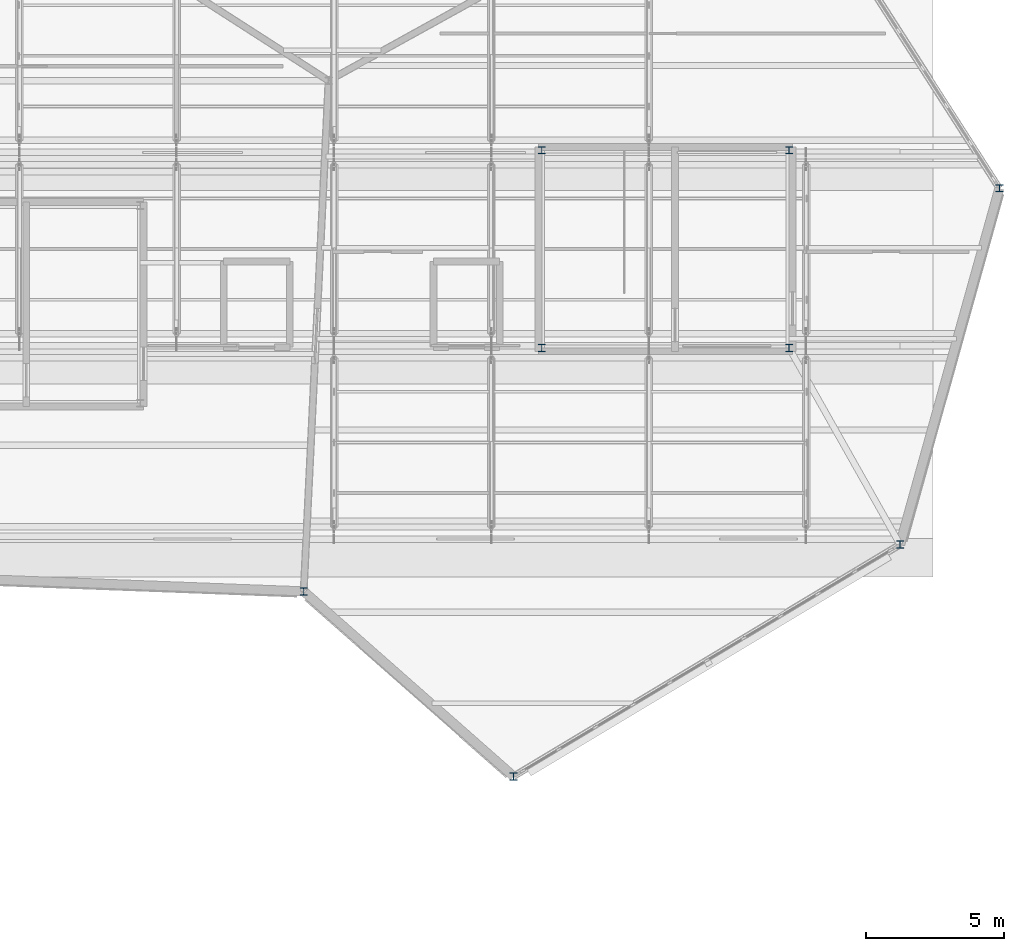
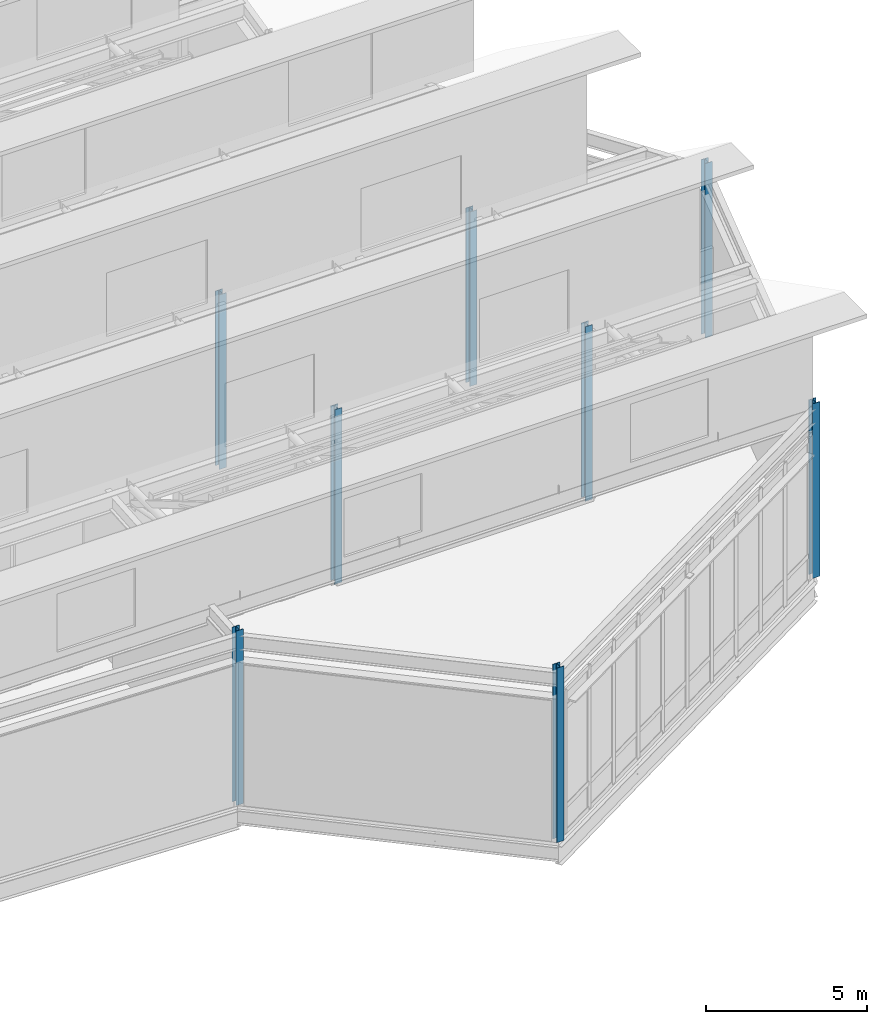
# One storey, part 2 of 55: 8 columns.
"""IFC4 building model written with IfcOpenShell, lengths in metres."""

from ifc_helpers import new_model, si_unit, direction, frame, origin, origin_2d, place, context, subcontext, project, spatial, i_section, extrude, material, material_profile, profile_set, type_object, element, save


model = new_model("IFC4")

# Units and contexts
model_context = context("Model", 3, precision=1e-05, world=origin(), true_north=direction((0.0, 1.0)))
body_context = subcontext(model_context, "Body", "Model", "MODEL_VIEW")
ifc_project = project(units=[si_unit("LENGTHUNIT", "METRE"), si_unit("AREAUNIT", "SQUARE_METRE"), si_unit("VOLUMEUNIT", "CUBIC_METRE"), si_unit("PLANEANGLEUNIT", "RADIAN"), si_unit("MASSUNIT", "GRAM", prefix="KILO")], contexts=[model_context])

# Site, building, storey
site_placement = place(None, origin())
site = spatial("IfcSite", under=ifc_project, at=site_placement, CompositionType="ELEMENT")
building_placement = place(site_placement, origin())
building = spatial("IfcBuilding", under=site, at=building_placement, Name="Tameran Prism Museum", CompositionType="ELEMENT")
storey_placement = place(building_placement, frame((0.0, 0.0, 28.800048828125)))
storey = spatial("IfcBuildingStorey", under=building, at=storey_placement, Name="L05", CompositionType="ELEMENT", Elevation=28.800048828125)

# Columns
ifc_material = material(Name="Steel Grade 300PLUS (300 MPa)", Category="steel")
ifc_material_profile = material_profile(ifc_material, i_section(OverallWidth=0.256103515625, OverallDepth=0.260009765625, WebThickness=0.010498046875, FlangeThickness=0.017333984375, FilletRadius=0.0126953125, at=origin_2d()))
ifc_profile_set = profile_set([ifc_material_profile])
column_type = type_object("IfcColumnType", Name="COL-UC250A", PredefinedType="COLUMN", material=ifc_profile_set)
for number, where, z_axis, x_axis, name in (
    (1, (117.89990234375, 70.60009765625, 0.0), (0.0, 0.0, 1.0), (1.0, 0.0, 0.0), "Column CV-46 L05"),
    (2, (125.5, 63.89990234375, 0.0), (0.0, 0.0, 1.0), (1.0, 0.0, 0.0), "Column CV-49 L05"),
    (3, (139.5, 72.300048828125, 0.0), (0.0, 0.0, 1.0), (1.0, 0.0, 0.0), "Column CV-57 L05"),
    (4, (143.10009765625, 85.199951171875, 0.0), (0.0, 0.0, 1.0), (1.0, 0.0, 0.0), "Column CV-60 L05"),
    (5, (126.52001953125, 79.419921875, 0.0), (0.0, 0.0, 1.0), (1.0, 0.0, 0.0), "Column CC-2-1 L05"),
    (6, (135.47998046875, 79.419921875, 0.0), (0.0, 0.0, 1.0), (1.0, 0.0, 0.0), "Column CC-2-2 L05"),
    (7, (135.47998046875, 86.580078125, 0.0), (0.0, 0.0, 1.0), (1.0, 0.0, 0.0), "Column CC-2-3 L05"),
    (8, (126.52001953125, 86.580078125, 0.0), (0.0, 0.0, 1.0), (1.0, 0.0, 0.0), "Column CC-2-4 L05"),
):
    element("IfcColumn", number, at=place(storey_placement, frame(where, z_axis=z_axis, x_axis=x_axis)), inside=storey, type_object=column_type, Name=name, PredefinedType="COLUMN", context=body_context, shape_type="SweptSolid", body=[
        extrude(i_section(OverallWidth=0.256103515625, OverallDepth=0.260009765625, WebThickness=0.010498046875, FlangeThickness=0.017333984375, FilletRadius=0.0126953125, at=origin_2d()), origin(), (0.0, 0.0, 1.0), 6.599853515625),
    ])

save(model, "model.ifc")
